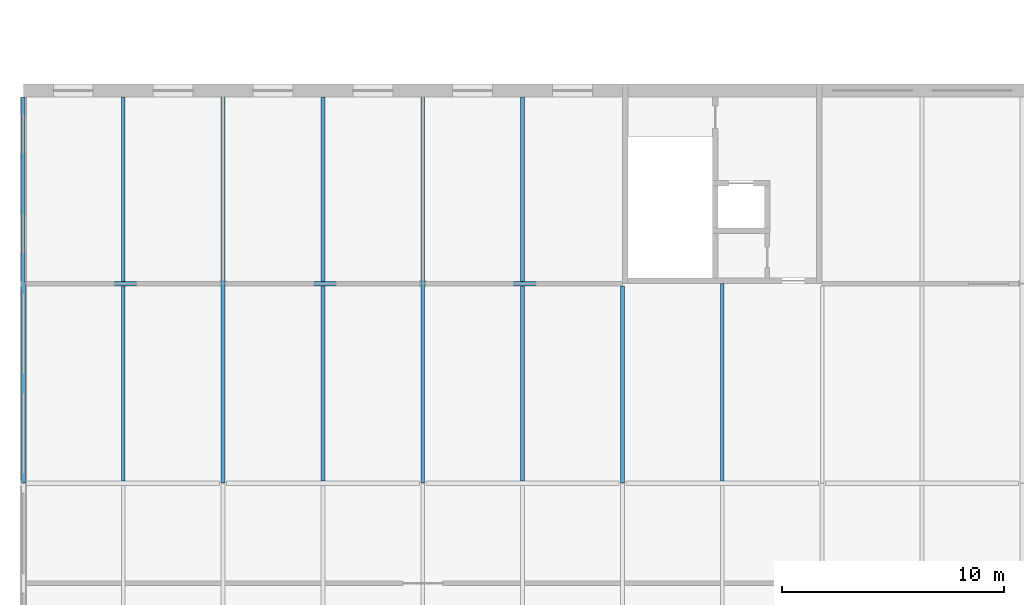
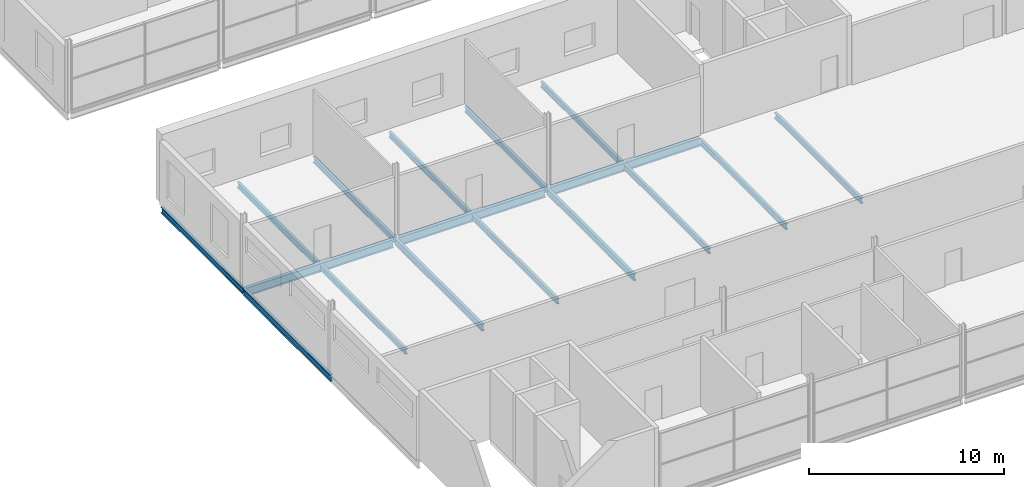
# One storey, part 60 of 138: 17 beams.
"""IFC4 building model written with IfcOpenShell, lengths in metres."""

from ifc_helpers import new_model, si_unit, direction, frame, origin, origin_2d, place, context, subcontext, project, spatial, i_section, extrude, material, material_profile, profile_set, type_object, element, save


model = new_model("IFC4")

# Units and contexts
model_context = context("Model", 3, precision=1e-05, world=origin(), true_north=direction((0.0, 1.0)))
body_context = subcontext(model_context, "Body", "Model", "MODEL_VIEW")
ifc_project = project(units=[si_unit("LENGTHUNIT", "METRE"), si_unit("AREAUNIT", "SQUARE_METRE"), si_unit("VOLUMEUNIT", "CUBIC_METRE"), si_unit("PLANEANGLEUNIT", "RADIAN"), si_unit("MASSUNIT", "GRAM", prefix="KILO")], contexts=[model_context])

# Site, building, storey
site_placement = place(None, origin())
site = spatial("IfcSite", under=ifc_project, at=site_placement, CompositionType="ELEMENT")
building_placement = place(site_placement, origin())
building = spatial("IfcBuilding", under=site, at=building_placement, Name="Corbel Yard City Hall", CompositionType="ELEMENT")
storey_placement = place(building_placement, frame((0.0, 0.0, 10.5)))
storey = spatial("IfcBuildingStorey", under=building, at=storey_placement, Name="L02", CompositionType="ELEMENT", Elevation=10.5)

# Beams
ifc_material = material(Name="Steel Grade 300 (300 MPa yield)", Category="steel")
ifc_material_profile_1 = material_profile(ifc_material, i_section(OverallWidth=0.1708984375, OverallDepth=0.35205078125, WebThickness=0.0068359375, FlangeThickness=0.009765625, at=origin_2d()), Name="360UB44.7")
ifc_profile_set_1 = profile_set([ifc_material_profile_1], Name="Steel Grade 300 (300 MPa yield)")
beam_type_1 = type_object("IfcBeamType", Name="Beam 360UB44.7", PredefinedType="BEAM", material=ifc_profile_set_1)
for number, where, z_axis, x_axis, name in (
    (1, (9.0, 72.005859375, -0.325927734375), (0.0, 1.0, 0.0), (-1.0, 0.0, 0.0), "Beam 360UB44.7 SB13 L02floor"),
    (2, (18.0, 72.005859375, -0.325927734375), (0.0, 1.0, 0.0), (-1.0, 0.0, 0.0), "Beam 360UB44.7 SB13 L02floor"),
):
    element("IfcBeam", number, at=place(storey_placement, frame(where, z_axis=z_axis, x_axis=x_axis)), inside=storey, type_object=beam_type_1, Name=name, PredefinedType="BEAM", context=body_context, shape_type="SweptSolid", body=[
        extrude(i_section(OverallWidth=0.1708984375, OverallDepth=0.35205078125, WebThickness=0.0068359375, FlangeThickness=0.009765625, at=origin_2d()), origin(), (0.0, 0.0, 1.0), 8.39404296875),
    ])
ifc_material_profile_2 = material_profile(ifc_material, i_section(OverallWidth=0.1708984375, OverallDepth=0.35595703125, WebThickness=0.00732421875, FlangeThickness=0.011474609375, at=origin_2d()), Name="360UB50.7")
ifc_profile_set_2 = profile_set([ifc_material_profile_2], Name="Steel Grade 300 (300 MPa yield)")
beam_type_2 = type_object("IfcBeamType", Name="Beam 360UB50.7", PredefinedType="BEAM", material=ifc_profile_set_2)
beam_1_placement = place(storey_placement, frame((27.0, 63.005859375, -0.327880859375), z_axis=(0.0, 1.0, 0.0), x_axis=(-1.0, 0.0, 0.0)))
element("IfcBeam", 3, at=beam_1_placement, inside=storey, type_object=beam_type_2, Name="Beam 360UB50.7 SB14 L02floor", PredefinedType="BEAM", context=body_context, shape_type="SweptSolid", body=[
    extrude(i_section(OverallWidth=0.1708984375, OverallDepth=0.35595703125, WebThickness=0.00732421875, FlangeThickness=0.011474609375, at=origin_2d()), origin(), (0.0, 0.0, 1.0), 8.8896484375),
])
ifc_material_profile_3 = material_profile(ifc_material, i_section(OverallWidth=0.177978515625, OverallDepth=0.403076171875, WebThickness=0.007568359375, FlangeThickness=0.010986328125, at=origin_2d()), Name="410UB53.7")
ifc_profile_set_3 = profile_set([ifc_material_profile_3], Name="Steel Grade 300 (300 MPa yield)")
beam_type_3 = type_object("IfcBeamType", Name="Beam 410UB53.7", PredefinedType="BEAM", material=ifc_profile_set_3)
for number, where, z_axis, x_axis, name in (
    (4, (9.0, 63.005859375, -0.3515625), (0.0, 1.0, 0.0), (-1.0, 0.0, 0.0), "Beam 410UB53.7 SB6 L02floor"),
    (5, (18.0, 63.005859375, -0.3515625), (0.0, 1.0, 0.0), (-1.0, 0.0, 0.0), "Beam 410UB53.7 SB6 L02floor"),
):
    element("IfcBeam", number, at=place(storey_placement, frame(where, z_axis=z_axis, x_axis=x_axis)), inside=storey, type_object=beam_type_3, Name=name, PredefinedType="BEAM", context=body_context, shape_type="SweptSolid", body=[
        extrude(i_section(OverallWidth=0.177978515625, OverallDepth=0.403076171875, WebThickness=0.007568359375, FlangeThickness=0.010986328125, at=origin_2d()), origin(), (0.0, 0.0, 1.0), 8.98828125),
    ])
ifc_material_profile_4 = material_profile(ifc_material, i_section(OverallWidth=0.172119140625, OverallDepth=0.35888671875, WebThickness=0.008056640625, FlangeThickness=0.012939453125, at=origin_2d()), Name="360UB56.7")
ifc_profile_set_4 = profile_set([ifc_material_profile_4], Name="Steel Grade 300 (300 MPa yield)")
beam_type_4 = type_object("IfcBeamType", Name="Edge beam 360UB56.7", PredefinedType="BEAM", material=ifc_profile_set_4)
beam_2_placement = place(storey_placement, frame((0.0, 72.00537109375, -0.32958984375), z_axis=(0.0, 1.0, 0.0), x_axis=(-1.0, 0.0, 0.0)))
element("IfcBeam", 6, at=beam_2_placement, inside=storey, type_object=beam_type_4, Name="Edge beam 360UB56.7 EB4 L02floor", PredefinedType="BEAM", context=body_context, shape_type="SweptSolid", body=[
    extrude(i_section(OverallWidth=0.172119140625, OverallDepth=0.35888671875, WebThickness=0.008056640625, FlangeThickness=0.012939453125, at=origin_2d()), origin(), (0.0, 0.0, 1.0), 8.39453125),
])
ifc_material_profile_5 = material_profile(ifc_material, i_section(OverallWidth=0.177978515625, OverallDepth=0.403076171875, WebThickness=0.007568359375, FlangeThickness=0.010986328125, at=origin_2d()), Name="410UB53.7")
ifc_profile_set_5 = profile_set([ifc_material_profile_5], Name="Steel Grade 300 (300 MPa yield)")
beam_type_5 = type_object("IfcBeamType", Name="Edge beam 410UB53.7", PredefinedType="BEAM", material=ifc_profile_set_5)
beam_3_placement = place(storey_placement, frame((0.0, 63.00537109375, -0.3515625), z_axis=(0.0, 1.0, 0.0), x_axis=(-1.0, 0.0, 0.0)))
element("IfcBeam", 7, at=beam_3_placement, inside=storey, type_object=beam_type_5, Name="Edge beam 410UB53.7 EB6 L02floor", PredefinedType="BEAM", context=body_context, shape_type="SweptSolid", body=[
    extrude(i_section(OverallWidth=0.177978515625, OverallDepth=0.403076171875, WebThickness=0.007568359375, FlangeThickness=0.010986328125, at=origin_2d()), origin(), (0.0, 0.0, 1.0), 8.9892578125),
])
ifc_material_profile_6 = material_profile(ifc_material, i_section(OverallWidth=0.208984375, OverallDepth=0.528076171875, WebThickness=0.009521484375, FlangeThickness=0.01318359375, at=origin_2d()), Name="530UB82.0")
ifc_profile_set_6 = profile_set([ifc_material_profile_6], Name="Steel Grade 300 (300 MPa yield)")
beam_type_6 = type_object("IfcBeamType", Name="Girder 530UB82.0", PredefinedType="BEAM", material=ifc_profile_set_6)
beam_4_placement = place(storey_placement, frame((0.1298828125, 72.0, -0.4140625), z_axis=(1.0, 0.0, 0.0), x_axis=(0.0, 1.0, 0.0)))
element("IfcBeam", 8, at=beam_4_placement, inside=storey, type_object=beam_type_6, Name="Girder 530UB82.0 GB3 L02floor", PredefinedType="BEAM", context=body_context, shape_type="SweptSolid", body=[
    extrude(i_section(OverallWidth=0.208984375, OverallDepth=0.528076171875, WebThickness=0.009521484375, FlangeThickness=0.01318359375, at=origin_2d()), origin(), (0.0, 0.0, 1.0), 8.712646484375),
])
beam_5_placement = place(storey_placement, frame((9.157470703125, 72.0, -0.4140625), z_axis=(1.0, 0.0, 0.0), x_axis=(0.0, 1.0, 0.0)))
element("IfcBeam", 9, at=beam_5_placement, inside=storey, type_object=beam_type_6, Name="Girder 530UB82.0 GB3 L02floor", PredefinedType="BEAM", context=body_context, shape_type="SweptSolid", body=[
    extrude(i_section(OverallWidth=0.208984375, OverallDepth=0.528076171875, WebThickness=0.009521484375, FlangeThickness=0.01318359375, at=origin_2d()), origin(), (0.0, 0.0, 1.0), 8.68505859375),
])
beam_6_placement = place(storey_placement, frame((18.157470703125, 72.0, -0.4140625), z_axis=(1.0, 0.0, 0.0), x_axis=(0.0, 1.0, 0.0)))
element("IfcBeam", 10, at=beam_6_placement, inside=storey, type_object=beam_type_6, Name="Girder 530UB82.0 GB3 L02floor", PredefinedType="BEAM", context=body_context, shape_type="SweptSolid", body=[
    extrude(i_section(OverallWidth=0.208984375, OverallDepth=0.528076171875, WebThickness=0.009521484375, FlangeThickness=0.01318359375, at=origin_2d()), origin(), (0.0, 0.0, 1.0), 8.842529296875),
])
ifc_material_profile_7 = material_profile(ifc_material, i_section(OverallWidth=0.1708984375, OverallDepth=0.35205078125, WebThickness=0.0068359375, FlangeThickness=0.009765625, at=origin_2d()), Name="360UB44.7")
ifc_profile_set_7 = profile_set([ifc_material_profile_7], Name="Steel Grade 300 (300 MPa yield)")
beam_type_7 = type_object("IfcBeamType", Name="Secondary beam 360UB44.7", PredefinedType="JOIST", material=ifc_profile_set_7)
beam_7_placement = place(storey_placement, frame((4.5, 63.1044921875, -0.325927734375), z_axis=(0.0, 1.0, 0.0), x_axis=(-1.0, 0.0, 0.0)))
element("IfcBeam", 11, at=beam_7_placement, inside=storey, type_object=beam_type_7, Name="Secondary beam 360UB44.7 SB11 L02floor", PredefinedType="JOIST", context=body_context, shape_type="SweptSolid", body=[
    extrude(i_section(OverallWidth=0.1708984375, OverallDepth=0.35205078125, WebThickness=0.0068359375, FlangeThickness=0.009765625, at=origin_2d()), origin(), (0.0, 0.0, 1.0), 8.791015625),
])
beam_8_placement = place(storey_placement, frame((4.5, 72.1044921875, -0.325927734375), z_axis=(0.0, 1.0, 0.0), x_axis=(-1.0, 0.0, 0.0)))
element("IfcBeam", 12, at=beam_8_placement, inside=storey, type_object=beam_type_7, Name="Secondary beam 360UB44.7 SB11 L02floor", PredefinedType="JOIST", context=body_context, shape_type="SweptSolid", body=[
    extrude(i_section(OverallWidth=0.1708984375, OverallDepth=0.35205078125, WebThickness=0.0068359375, FlangeThickness=0.009765625, at=origin_2d()), origin(), (0.0, 0.0, 1.0), 8.29541015625),
])
beam_9_placement = place(storey_placement, frame((13.5, 63.1044921875, -0.325927734375), z_axis=(0.0, 1.0, 0.0), x_axis=(-1.0, 0.0, 0.0)))
element("IfcBeam", 13, at=beam_9_placement, inside=storey, type_object=beam_type_7, Name="Secondary beam 360UB44.7 SB11 L02floor", PredefinedType="JOIST", context=body_context, shape_type="SweptSolid", body=[
    extrude(i_section(OverallWidth=0.1708984375, OverallDepth=0.35205078125, WebThickness=0.0068359375, FlangeThickness=0.009765625, at=origin_2d()), origin(), (0.0, 0.0, 1.0), 8.791015625),
])
beam_10_placement = place(storey_placement, frame((13.5, 72.1044921875, -0.325927734375), z_axis=(0.0, 1.0, 0.0), x_axis=(-1.0, 0.0, 0.0)))
element("IfcBeam", 14, at=beam_10_placement, inside=storey, type_object=beam_type_7, Name="Secondary beam 360UB44.7 SB11 L02floor", PredefinedType="JOIST", context=body_context, shape_type="SweptSolid", body=[
    extrude(i_section(OverallWidth=0.1708984375, OverallDepth=0.35205078125, WebThickness=0.0068359375, FlangeThickness=0.009765625, at=origin_2d()), origin(), (0.0, 0.0, 1.0), 8.29541015625),
])
beam_11_placement = place(storey_placement, frame((22.5, 63.1044921875, -0.325927734375), z_axis=(0.0, 1.0, 0.0), x_axis=(-1.0, 0.0, 0.0)))
element("IfcBeam", 15, at=beam_11_placement, inside=storey, type_object=beam_type_7, Name="Secondary beam 360UB44.7 SB11 L02floor", PredefinedType="JOIST", context=body_context, shape_type="SweptSolid", body=[
    extrude(i_section(OverallWidth=0.1708984375, OverallDepth=0.35205078125, WebThickness=0.0068359375, FlangeThickness=0.009765625, at=origin_2d()), origin(), (0.0, 0.0, 1.0), 8.791015625),
])
beam_12_placement = place(storey_placement, frame((22.5, 72.1044921875, -0.325927734375), z_axis=(0.0, 1.0, 0.0), x_axis=(-1.0, 0.0, 0.0)))
element("IfcBeam", 16, at=beam_12_placement, inside=storey, type_object=beam_type_7, Name="Secondary beam 360UB44.7 SB11 L02floor", PredefinedType="JOIST", context=body_context, shape_type="SweptSolid", body=[
    extrude(i_section(OverallWidth=0.1708984375, OverallDepth=0.35205078125, WebThickness=0.0068359375, FlangeThickness=0.009765625, at=origin_2d()), origin(), (0.0, 0.0, 1.0), 8.29541015625),
])
ifc_material_profile_8 = material_profile(ifc_material, i_section(OverallWidth=0.1708984375, OverallDepth=0.35595703125, WebThickness=0.00732421875, FlangeThickness=0.011474609375, at=origin_2d()), Name="360UB50.7")
ifc_profile_set_8 = profile_set([ifc_material_profile_8], Name="Steel Grade 300 (300 MPa yield)")
beam_type_8 = type_object("IfcBeamType", Name="Secondary beam 360UB50.7", PredefinedType="JOIST", material=ifc_profile_set_8)
beam_13_placement = place(storey_placement, frame((31.5, 63.1044921875, -0.327880859375), z_axis=(0.0, 1.0, 0.0), x_axis=(-1.0, 0.0, 0.0)))
element("IfcBeam", 17, at=beam_13_placement, inside=storey, type_object=beam_type_8, Name="Secondary beam 360UB50.7 SB10 L02floor", PredefinedType="JOIST", context=body_context, shape_type="SweptSolid", body=[
    extrude(i_section(OverallWidth=0.1708984375, OverallDepth=0.35595703125, WebThickness=0.00732421875, FlangeThickness=0.011474609375, at=origin_2d()), origin(), (0.0, 0.0, 1.0), 8.8955078125),
])

save(model, "model.ifc")
